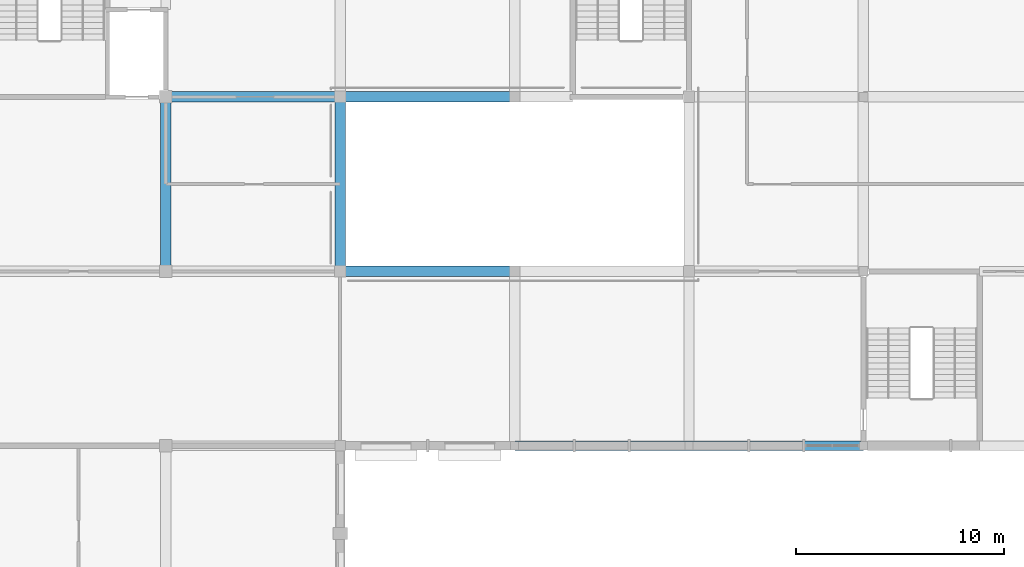
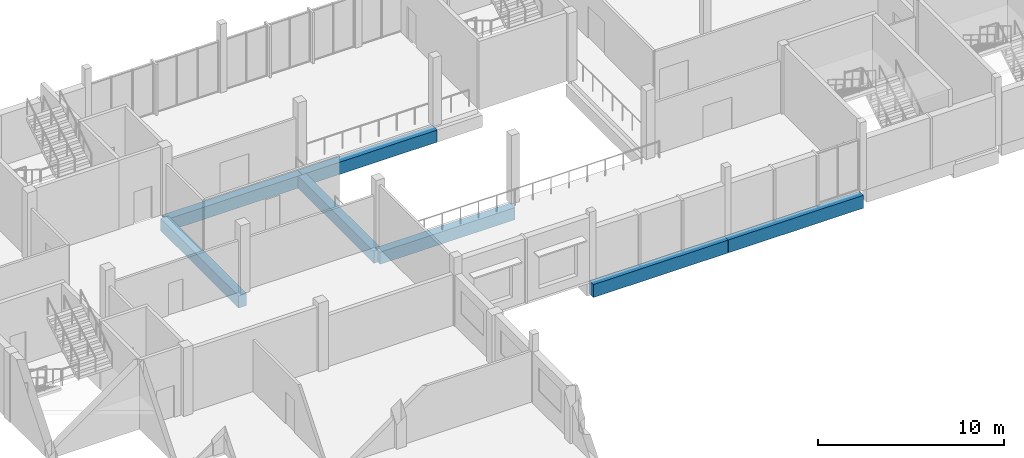
# One storey, part 40 of 116: 7 beams.
"""IFC4 building model written with IfcOpenShell, lengths in metres."""

from ifc_helpers import new_model, si_unit, direction, frame, origin, origin_2d, place, context, subcontext, project, spatial, rectangle, extrude, material, material_profile, profile_set, type_object, element, save


model = new_model("IFC4")

# Units and contexts
model_context = context("Model", 3, precision=1e-05, world=origin(), true_north=direction((0.0, 1.0)))
body_context = subcontext(model_context, "Body", "Model", "MODEL_VIEW")
ifc_project = project(units=[si_unit("LENGTHUNIT", "METRE"), si_unit("AREAUNIT", "SQUARE_METRE"), si_unit("VOLUMEUNIT", "CUBIC_METRE"), si_unit("PLANEANGLEUNIT", "RADIAN"), si_unit("MASSUNIT", "GRAM", prefix="KILO")], contexts=[model_context])

# Site, building, storey
site_placement = place(None, origin())
site = spatial("IfcSite", under=ifc_project, at=site_placement, CompositionType="ELEMENT")
building_placement = place(site_placement, origin())
building = spatial("IfcBuilding", under=site, at=building_placement, Name="Fescue Hill Polytechnic", CompositionType="ELEMENT")
storey_placement = place(building_placement, frame((0.0, 0.0, 13.5)))
storey = spatial("IfcBuildingStorey", under=building, at=storey_placement, Name="L03", CompositionType="ELEMENT", Elevation=13.5)

# Beams
ifc_material = material(Name="Concrete 35 MPa", Category="concrete")
ifc_material_profile_1 = material_profile(ifc_material, rectangle(XDim=0.449951171875, YDim=0.85009765625, at=origin_2d()), Name="RC 450x850")
ifc_profile_set_1 = profile_set([ifc_material_profile_1], Name="Concrete 35 MPa")
beam_type_1 = type_object("IfcBeamType", Name="Beam RC 450x850", PredefinedType="BEAM", material=ifc_profile_set_1)
beam_1_placement = place(storey_placement, frame((33.610107421875, 109.199951171875, -0.72509765625), z_axis=(1.0, 0.0, 0.0), x_axis=(0.0, 1.0, 0.0)))
element("IfcBeam", 1, at=beam_1_placement, inside=storey, type_object=beam_type_1, Name="BM-L03-0063", PredefinedType="BEAM", context=body_context, shape_type="SweptSolid", body=[
    extrude(rectangle(XDim=0.449951171875, YDim=0.85009765625, at=origin_2d()), origin(), (0.0, 0.0, 1.0), 8.3798828125),
])
beam_2_placement = place(storey_placement, frame((42.010009765625, 109.199951171875, -0.72509765625), z_axis=(1.0, 0.0, 0.0), x_axis=(0.0, 1.0, 0.0)))
element("IfcBeam", 2, at=beam_2_placement, inside=storey, type_object=beam_type_1, Name="BM-L03-0070", PredefinedType="BEAM", context=body_context, shape_type="SweptSolid", body=[
    extrude(rectangle(XDim=0.449951171875, YDim=0.85009765625, at=origin_2d()), origin(), (0.0, 0.0, 1.0), 8.389892578125),
])
ifc_material_profile_2 = material_profile(ifc_material, rectangle(XDim=0.5, YDim=0.800048828125, at=origin_2d()), Name="RC 500x800")
ifc_profile_set_2 = profile_set([ifc_material_profile_2], Name="Concrete 35 MPa")
beam_type_2 = type_object("IfcBeamType", Name="Beam RC 500x800", PredefinedType="BEAM", material=ifc_profile_set_2)
beam_3_placement = place(storey_placement, frame((16.800048828125, 117.60009765625, -0.699951171875), z_axis=(0.0, 1.0, 0.0), x_axis=(-1.0, 0.0, 0.0)))
element("IfcBeam", 3, at=beam_3_placement, inside=storey, type_object=beam_type_2, Name="BM-L03-0040", PredefinedType="BEAM", context=body_context, shape_type="SweptSolid", body=[
    extrude(rectangle(XDim=0.5, YDim=0.800048828125, at=origin_2d()), origin(), (0.0, 0.0, 1.0), 8.39990234375),
])
beam_4_placement = place(storey_placement, frame((16.81005859375, 126.0, -0.699951171875), z_axis=(1.0, 0.0, 0.0), x_axis=(0.0, 1.0, 0.0)))
element("IfcBeam", 4, at=beam_4_placement, inside=storey, type_object=beam_type_2, Name="BM-L03-0049", PredefinedType="BEAM", context=body_context, shape_type="SweptSolid", body=[
    extrude(rectangle(XDim=0.5, YDim=0.800048828125, at=origin_2d()), origin(), (0.0, 0.0, 1.0), 8.3798828125),
])
beam_5_placement = place(storey_placement, frame((25.199951171875, 117.60009765625, -0.699951171875), z_axis=(0.0, 1.0, 0.0), x_axis=(-1.0, 0.0, 0.0)))
element("IfcBeam", 5, at=beam_5_placement, inside=storey, type_object=beam_type_2, Name="BM-L03-0056", PredefinedType="BEAM", context=body_context, shape_type="SweptSolid", body=[
    extrude(rectangle(XDim=0.5, YDim=0.800048828125, at=origin_2d()), origin(), (0.0, 0.0, 1.0), 8.39990234375),
])
beam_6_placement = place(storey_placement, frame((25.199951171875, 117.60009765625, -0.699951171875), z_axis=(1.0, 0.0, 0.0), x_axis=(0.0, 1.0, 0.0)))
element("IfcBeam", 6, at=beam_6_placement, inside=storey, type_object=beam_type_2, Name="BM-L03-0057", PredefinedType="BEAM", context=body_context, shape_type="SweptSolid", body=[
    extrude(rectangle(XDim=0.5, YDim=0.800048828125, at=origin_2d()), origin(), (0.0, 0.0, 1.0), 8.39013671875),
])
beam_7_placement = place(storey_placement, frame((25.2099609375, 126.0, -0.699951171875), z_axis=(1.0, 0.0, 0.0), x_axis=(0.0, 1.0, 0.0)))
element("IfcBeam", 7, at=beam_7_placement, inside=storey, type_object=beam_type_2, Name="BM-L03-0059", PredefinedType="BEAM", context=body_context, shape_type="SweptSolid", body=[
    extrude(rectangle(XDim=0.5, YDim=0.800048828125, at=origin_2d()), origin(), (0.0, 0.0, 1.0), 8.380126953125),
])

save(model, "model.ifc")
